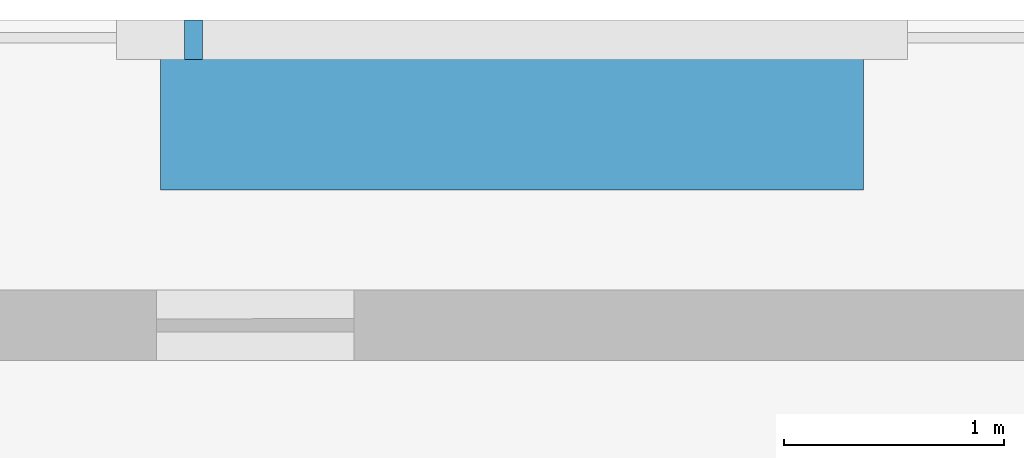
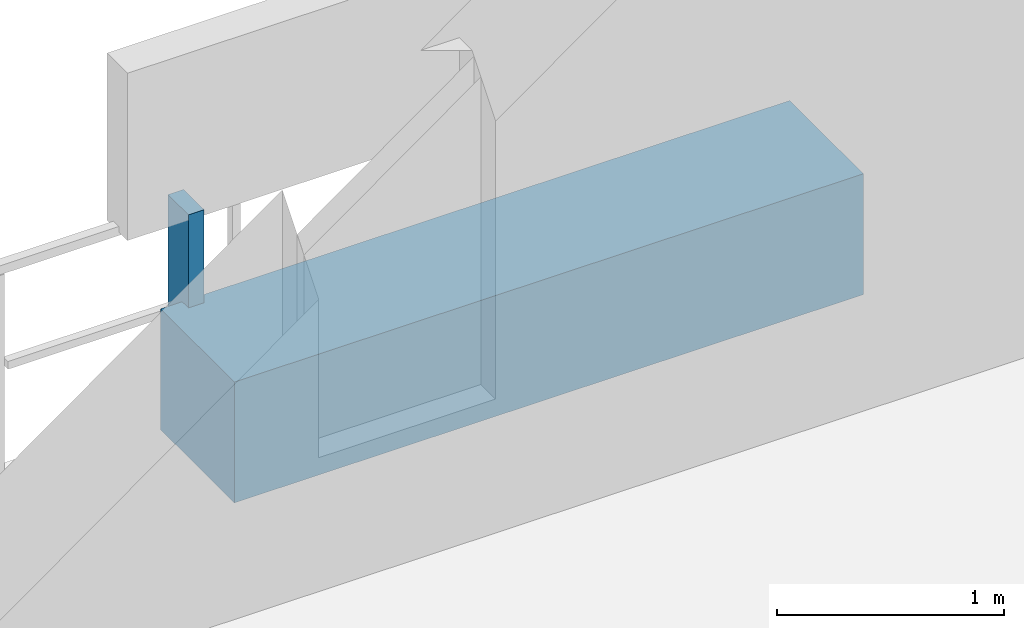
# One storey, part 28 of 33: 2 discrete accessories.
"""IFC4 building model written with IfcOpenShell, lengths in metres."""

from ifc_helpers import new_model, si_unit, direction, frame, origin, origin_2d, place, context, subcontext, project, spatial, rectangle, extrude, material, type_object, element, save


model = new_model("IFC4")

# Units and contexts
model_context = context("Model", 3, precision=1e-05, world=origin(), true_north=direction((0.0, 1.0)))
body_context = subcontext(model_context, "Body", "Model", "MODEL_VIEW")
ifc_project = project(units=[si_unit("LENGTHUNIT", "METRE"), si_unit("AREAUNIT", "SQUARE_METRE"), si_unit("VOLUMEUNIT", "CUBIC_METRE"), si_unit("PLANEANGLEUNIT", "RADIAN"), si_unit("MASSUNIT", "GRAM", prefix="KILO")], contexts=[model_context])

# Site, building, storey
site_placement = place(None, origin())
site = spatial("IfcSite", under=ifc_project, at=site_placement, CompositionType="ELEMENT")
building_placement = place(site_placement, origin())
building = spatial("IfcBuilding", under=site, at=building_placement, Name="Thornwick Lancets Civic Towers", CompositionType="ELEMENT")
storey_placement = place(building_placement, frame((0.0, 0.0, 192.89990234375)))
storey = spatial("IfcBuildingStorey", under=building, at=storey_placement, Name="L51", CompositionType="ELEMENT", Elevation=192.89990234375)

# Discrete accessories
ifc_material_1 = material(Name="Planted terracotta greenery planter", Category="masonry")
discrete_accessory_type_1 = type_object("IfcDiscreteAccessoryType", Name="ACC_PLANTER_BOX", PredefinedType="USERDEFINED", material=ifc_material_1)
discrete_accessory_1_placement = place(storey_placement, frame((25.5, 51.699951171875, 0.000244140625), z_axis=(0.0, 0.0, 1.0), x_axis=(1.0, 0.0, 0.0)))
element("IfcDiscreteAccessory", 1, at=discrete_accessory_1_placement, inside=storey, type_object=discrete_accessory_type_1, Name="L51 Tower A Balcony Greenery Planter N", ObjectType="PLANTER", PredefinedType="USERDEFINED", context=body_context, shape_type="SweptSolid", body=[
    extrude(rectangle(XDim=3.199951171875, YDim=0.64990234375, at=origin_2d()), origin(), (0.0, 0.0, 1.0), 0.64990234375),
])
ifc_material_2 = material(Name="Stainless steel S355", Category="steel")
discrete_accessory_type_2 = type_object("IfcDiscreteAccessoryType", Name="ACC_SCREEN_BRACKET", PredefinedType="BRACKET", material=ifc_material_2)
discrete_accessory_2_placement = place(storey_placement, frame((24.050048828125, 52.06005859375, 0.000244140625), z_axis=(0.0, 0.0, 1.0), x_axis=(1.0, 0.0, 0.0)))
element("IfcDiscreteAccessory", 2, at=discrete_accessory_2_placement, inside=storey, type_object=discrete_accessory_type_2, Name="L51 Tower A Balcony Screen Stanchion Bracket N-1", PredefinedType="BRACKET", context=body_context, shape_type="SweptSolid", body=[
    extrude(rectangle(XDim=0.080078125, YDim=0.179931640625, at=origin_2d()), origin(), (0.0, 0.0, 1.0), 1.14990234375),
])

save(model, "model.ifc")
